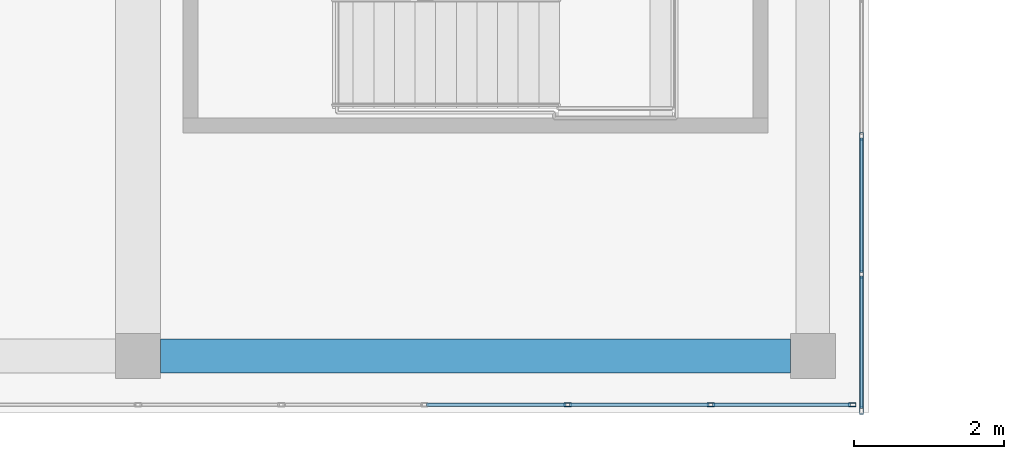
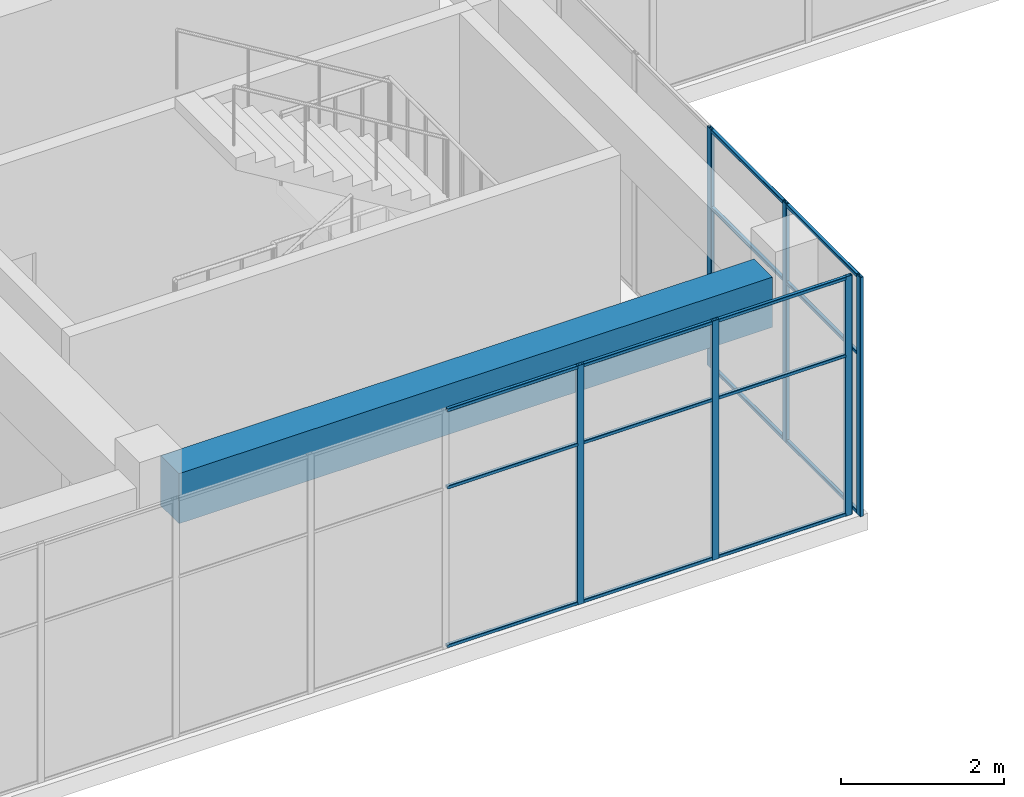
# One storey, part 8 of 35: 21 members, 1 beam, 2 elements without a shape of their own.
"""IFC4 building model written with IfcOpenShell, lengths in metres."""

import ifcopenshell
import ifcopenshell.guid

model = None  # the IFC model being written
_history = None  # IfcOwnerHistory: only IFC2X3 demands one
_inside = {}  # id of a spatial element -> (the spatial element, [elements in it])
_under = {}  # id of a project, library or spatial element -> (it, [spatial elements below it])
_declared = {}  # id of a project -> (the project, [libraries it declares])
_typed = {}  # id of a type object -> (the type object, [elements of that type])
_made_of = {}  # id of a material, layer set ... -> (it, [elements and type objects made of it])


def new_model(schema):
    """Start an empty IFC model of exactly this schema.

    Asked for "IFC4X3", IfcOpenShell would pick the latest addendum, in which some entities
    have other attributes; the version numbers below select the first issue.
    IFC2X3 requires an IfcOwnerHistory on every rooted entity: one is made here for all.
    """
    global model, _history
    if schema == "IFC4X3":
        model = ifcopenshell.file(schema_version=(4, 3, 0, 0))
    else:
        model = ifcopenshell.file(schema=schema)
    _inside.clear()
    _under.clear()
    _declared.clear()
    _typed.clear()
    _made_of.clear()
    _history = None
    if model.schema == "IFC2X3":
        org = make("IfcOrganization", Name="unknown")
        user = make(
            "IfcPersonAndOrganization",
            ThePerson=make("IfcPerson", FamilyName="unknown"),
            TheOrganization=org,
        )
        app = make(
            "IfcApplication",
            ApplicationDeveloper=org,
            Version="unknown",
            ApplicationFullName="unknown",
            ApplicationIdentifier="unknown",
        )
        _history = make(
            "IfcOwnerHistory",
            OwningUser=user,
            OwningApplication=app,
            ChangeAction="ADDED",
            CreationDate=0,
        )
    return model


def make(cls, **values):
    """One entity of the class cls with the attributes given. An attribute that is None is left unset."""
    return model.create_entity(
        cls, **{name: value for name, value in values.items() if value is not None}
    )


def rooted(cls, **values):
    """An entity with a GlobalId (a new one), such as an element, a storey or a relation."""
    return make(cls, GlobalId=ifcopenshell.guid.new(), OwnerHistory=_history, **values)


def si_unit(unit_type, name, prefix=None):
    """IfcSIUnit, for example si_unit("LENGTHUNIT", "METRE", prefix="MILLI")."""
    return make("IfcSIUnit", UnitType=unit_type, Prefix=prefix, Name=name)


def assignment(units):
    """IfcUnitAssignment: the units of a project."""
    return None if units is None else make("IfcUnitAssignment", Units=units)


def point(xyz):
    """IfcCartesianPoint."""
    return None if xyz is None else make("IfcCartesianPoint", Coordinates=xyz)


def direction(xyz):
    """IfcDirection."""
    return None if xyz is None else make("IfcDirection", DirectionRatios=xyz)


def frame(location, z_axis=None, x_axis=None):
    """IfcAxis2Placement3D, a coordinate frame: its origin and axes. An axis left out is left unset."""
    return make(
        "IfcAxis2Placement3D",
        Location=point(location),
        Axis=direction(z_axis),
        RefDirection=direction(x_axis),
    )


def frame_2d(location, x_axis=None):
    """IfcAxis2Placement2D, a coordinate frame in the plane: its origin and x axis."""
    return make(
        "IfcAxis2Placement2D", Location=point(location), RefDirection=direction(x_axis)
    )


def origin():
    """The frame at (0, 0, 0) with its axes left unset."""
    return frame((0.0, 0.0, 0.0))


def origin_2d():
    """The frame at (0, 0) in the plane with its x axis left unset."""
    return frame_2d((0.0, 0.0))


def place(relative_to, where):
    """IfcLocalPlacement: puts the frame where relative to a parent placement (None: the world)."""
    return make(
        "IfcLocalPlacement", PlacementRelTo=relative_to, RelativePlacement=where
    )


def context(
    kind, dimensions, precision=None, world=None, true_north=None, identifier=None
):
    """IfcGeometricRepresentationContext, for example the 3D "Model" context."""
    return make(
        "IfcGeometricRepresentationContext",
        ContextIdentifier=identifier,
        ContextType=kind,
        CoordinateSpaceDimension=dimensions,
        Precision=precision,
        WorldCoordinateSystem=world,
        TrueNorth=true_north,
    )


def subcontext(parent, identifier, kind, view, scale=None):
    """IfcGeometricRepresentationSubContext, for example "Body" below "Model"."""
    return make(
        "IfcGeometricRepresentationSubContext",
        ContextIdentifier=identifier,
        ContextType=kind,
        ParentContext=parent,
        TargetScale=scale,
        TargetView=view,
    )


def project(units=None, contexts=None):
    """IfcProject with its units and contexts."""
    return rooted(
        "IfcProject",
        Name="project",
        RepresentationContexts=contexts,
        UnitsInContext=assignment(units),
    )


def spatial(cls, under=None, at=None, **own):
    """A site, building, storey or space (cls), placed at a placement, below another one or the project."""
    s = rooted(cls, ObjectPlacement=at, **own)
    if under is not None:
        _under.setdefault(under.id(), (under, []))[1].append(s)
    return s


def profile(cls, at=None, kind="AREA", **sizes):
    """A parametric profile (cls). Its sizes go by their IFC names, for example OverallWidth=200.0."""
    return make(cls, ProfileType=kind, Position=at, **sizes)


def rectangle(**sizes):
    """IfcRectangleProfileDef."""
    return profile("IfcRectangleProfileDef", **sizes)


def hollow_rectangle(**sizes):
    """IfcRectangleHollowProfileDef."""
    return profile("IfcRectangleHollowProfileDef", **sizes)


def extrude(swept, where, along, depth):
    """IfcExtrudedAreaSolid: the profile swept, set in the frame where, extruded along a direction by depth."""
    return make(
        "IfcExtrudedAreaSolid",
        SweptArea=swept,
        Position=where,
        ExtrudedDirection=direction(along),
        Depth=depth,
    )


def shape(context_of_items, identifier, shape_type, items):
    """IfcShapeRepresentation: the items that make up one representation, for example the "Body"."""
    return make(
        "IfcShapeRepresentation",
        ContextOfItems=context_of_items,
        RepresentationIdentifier=identifier,
        RepresentationType=shape_type,
        Items=items,
    )


def material(Name=None, Category=None):
    """IfcMaterial."""
    return make("IfcMaterial", Name=Name, Category=Category)


def layer(
    of_material, thickness, ventilated=None, Name=None, Category=None, Priority=None
):
    """IfcMaterialLayer: one layer of a wall or slab, of a material (None: an air gap)."""
    return make(
        "IfcMaterialLayer",
        Material=of_material,
        LayerThickness=thickness,
        IsVentilated=ventilated,
        Name=Name,
        Category=Category,
        Priority=Priority,
    )


def layer_set(layers, Name=None):
    """IfcMaterialLayerSet."""
    return make("IfcMaterialLayerSet", MaterialLayers=layers, LayerSetName=Name)


def material_profile(
    of_material, cross_section, Name=None, Category=None, Priority=None
):
    """IfcMaterialProfile: a cross section and its material."""
    return make(
        "IfcMaterialProfile",
        Name=Name,
        Material=of_material,
        Profile=cross_section,
        Priority=Priority,
        Category=Category,
    )


def profile_set(profiles, Name=None, composite=None):
    """IfcMaterialProfileSet."""
    return make(
        "IfcMaterialProfileSet",
        Name=Name,
        MaterialProfiles=profiles,
        CompositeProfile=composite,
    )


def made_of(thing, what):
    """Note that an element or type object is made of a material, layer set ...; save() writes the relation."""
    if what is not None:
        _made_of.setdefault(what.id(), (what, []))[1].append(thing)
    return thing


def type_object(cls, material=None, **own):
    """A type object (cls), such as IfcWallType, which elements share."""
    return made_of(rooted(cls, **own), material)


def element(
    cls,
    number,
    at=None,
    inside=None,
    cuts=None,
    type_object=None,
    material=None,
    context=None,
    identifier="Body",
    shape_type=None,
    held_by="IfcProductDefinitionShape",
    body=None,
    shapes=None,
    **own,
):
    """One element of the class cls, such as IfcWall. Its Tag is "e" and its number.

    at: its placement. inside: the storey or other place that contains it. cuts: it is an
    opening in that element (IfcRelVoidsElement). A single representation is given by context,
    identifier, shape_type and body (its items); several are given by shapes. held_by: the class
    of the entity that holds the representations. save() writes the other relations.
    """
    e = rooted(cls, Tag="e%d" % number, ObjectPlacement=at, **own)
    if body is not None:
        shapes = [shape(context, identifier, shape_type, body)]
    if shapes is not None:
        e.Representation = make(held_by, Representations=shapes)
    if inside is not None:
        _inside.setdefault(inside.id(), (inside, []))[1].append(e)
    if cuts is not None:
        rooted(
            "IfcRelVoidsElement", RelatingBuildingElement=cuts, RelatedOpeningElement=e
        )
    if type_object is not None:
        _typed.setdefault(type_object.id(), (type_object, []))[1].append(e)
    return made_of(e, material)


def aggregate(whole, parts):
    """IfcRelAggregates: a whole, such as a stair, and the parts it consists of."""
    return rooted("IfcRelAggregates", RelatingObject=whole, RelatedObjects=parts)


def save(model, path):
    """Write the relations noted so far, then the file.

    IfcRelAggregates (storeys below a building ...), IfcRelContainedInSpatialStructure (elements
    in a storey), IfcRelDefinesByType, IfcRelAssociatesMaterial and IfcRelDeclares: one each for
    every whole, place, type object, material and project.
    """
    for whole, parts in _under.values():
        aggregate(whole, parts)
    for where, things in _inside.values():
        rooted(
            "IfcRelContainedInSpatialStructure",
            RelatedElements=things,
            RelatingStructure=where,
        )
    for kind, things in _typed.values():
        rooted("IfcRelDefinesByType", RelatedObjects=things, RelatingType=kind)
    for what, things in _made_of.values():
        rooted("IfcRelAssociatesMaterial", RelatedObjects=things, RelatingMaterial=what)
    for by, libraries in _declared.values():
        rooted("IfcRelDeclares", RelatingContext=by, RelatedDefinitions=libraries)
    model.write(path)


model = new_model("IFC4")

# Units and contexts
model_context = context("Model", 3, precision=1e-05, world=origin(), true_north=direction((0.0, 1.0)))
body_context = subcontext(model_context, "Body", "Model", "MODEL_VIEW")
ifc_project = project(units=[si_unit("LENGTHUNIT", "METRE"), si_unit("AREAUNIT", "SQUARE_METRE"), si_unit("VOLUMEUNIT", "CUBIC_METRE"), si_unit("PLANEANGLEUNIT", "RADIAN"), si_unit("MASSUNIT", "GRAM", prefix="KILO")], contexts=[model_context])

# Site, building, storey
site_placement = place(None, origin())
site = spatial("IfcSite", under=ifc_project, at=site_placement, CompositionType="ELEMENT")
building_placement = place(site_placement, origin())
building = spatial("IfcBuilding", under=site, at=building_placement, Name="Tuart Plaza Theatre", CompositionType="ELEMENT")
storey_placement = place(building_placement, frame((0.0, 0.0, 49.5)))
storey = spatial("IfcBuildingStorey", under=building, at=storey_placement, Name="L12", CompositionType="ELEMENT", Elevation=49.5)

# Beam
ifc_material_1 = material(Name="Concrete N40 (40 MPa)", Category="concrete")
ifc_material_profile_1 = material_profile(ifc_material_1, rectangle(XDim=0.449951171875, YDim=0.75, at=origin_2d()), Name="BEAM 450x750 Concrete N40 (40 MPa)")
ifc_profile_set_1 = profile_set([ifc_material_profile_1], Name="Concrete N40 (40 MPa)")
beam_type = type_object("IfcBeamType", Name="BEAM 450x750 Concrete N40 (40 MPa)", PredefinedType="BEAM", material=ifc_profile_set_1)
beam_placement = place(storey_placement, frame((132.300048828125, 56.0, 3.205078125), z_axis=(1.0, 0.0, 0.0), x_axis=(0.0, 1.0, 0.0)))
element("IfcBeam", 1, at=beam_placement, inside=storey, type_object=beam_type, Name="RB301", PredefinedType="BEAM", context=body_context, shape_type="SweptSolid", body=[
    extrude(rectangle(XDim=0.449951171875, YDim=0.75, at=origin_2d()), origin(), (0.0, 0.0, 1.0), 8.39990234375),
])

# Curtain wall, members
ifc_material_2 = material(Name="Aluminium and glass", Category="aluminium")
ifc_layer = layer(ifc_material_2, 0.10009765625)
ifc_layer_set = layer_set([ifc_layer], Name="CURTAIN WALL 2000 module")
curtain_wall_type = type_object("IfcCurtainWallType", Name="CURTAIN WALL 2000 module", PredefinedType="NOTDEFINED", material=ifc_layer_set)
curtain_wall_1_placement = place(storey_placement, origin())
curtain_wall_1 = element("IfcCurtainWall", 2, at=curtain_wall_1_placement, inside=storey, type_object=curtain_wall_type, Name="CW100", PredefinedType="NOTDEFINED")
ifc_material_3 = material(Name="Aluminium 6063-T5", Category="aluminium")
ifc_material_profile_2 = material_profile(ifc_material_3, hollow_rectangle(XDim=0.050048828125, YDim=0.10009765625, WallThickness=0.00390625, InnerFilletRadius=0.00390625, OuterFilletRadius=0.008056640625, at=origin_2d()), Name="RHS 100x50x4")
ifc_profile_set_2 = profile_set([ifc_material_profile_2], Name="Aluminium 6063-T5")
member_type_1 = type_object("IfcMemberType", Name="MULLION RHS 100x50x4", PredefinedType="MULLION", material=ifc_profile_set_2)
member_1_placement = place(storey_placement, frame((141.64990234375, 55.27490234375, 0.0), z_axis=(0.0, 0.0, 1.0), x_axis=(-1.0, 0.0, 0.0)))
member_1 = element("IfcMember", 3, at=member_1_placement, type_object=member_type_1, Name="CW100 mullion 1", PredefinedType="MULLION", context=body_context, shape_type="SweptSolid", body=[
    extrude(hollow_rectangle(XDim=0.050048828125, YDim=0.10009765625, WallThickness=0.00390625, InnerFilletRadius=0.00390625, OuterFilletRadius=0.008056640625, at=origin_2d()), origin(), (0.0, 0.0, 1.0), 3.580078125),
])
member_2_placement = place(storey_placement, frame((141.64990234375, 57.090087890625, 0.0), z_axis=(0.0, 0.0, 1.0), x_axis=(-1.0, 0.0, 0.0)))
member_2 = element("IfcMember", 4, at=member_2_placement, type_object=member_type_1, Name="CW100 mullion 2", PredefinedType="MULLION", context=body_context, shape_type="SweptSolid", body=[
    extrude(hollow_rectangle(XDim=0.050048828125, YDim=0.10009765625, WallThickness=0.00390625, InnerFilletRadius=0.00390625, OuterFilletRadius=0.008056640625, at=origin_2d()), origin(), (0.0, 0.0, 1.0), 3.580078125),
])
member_3_placement = place(storey_placement, frame((141.64990234375, 58.929931640625, 0.0), z_axis=(0.0, 0.0, 1.0), x_axis=(-1.0, 0.0, 0.0)))
member_3 = element("IfcMember", 5, at=member_3_placement, type_object=member_type_1, Name="CW100 mullion 3", PredefinedType="MULLION", context=body_context, shape_type="SweptSolid", body=[
    extrude(hollow_rectangle(XDim=0.050048828125, YDim=0.10009765625, WallThickness=0.00390625, InnerFilletRadius=0.00390625, OuterFilletRadius=0.008056640625, at=origin_2d()), origin(), (0.0, 0.0, 1.0), 3.580078125),
])

curtain_wall_2_placement = place(storey_placement, origin())
curtain_wall_2 = element("IfcCurtainWall", 6, at=curtain_wall_2_placement, inside=storey, type_object=curtain_wall_type, Name="CW111", PredefinedType="NOTDEFINED")
member_4_placement = place(storey_placement, frame((137.72998046875, 55.35009765625, 0.0), z_axis=(0.0, 0.0, 1.0), x_axis=(0.0, 1.0, 0.0)))
member_4 = element("IfcMember", 7, at=member_4_placement, type_object=member_type_1, Name="CW111 mullion 9", PredefinedType="MULLION", context=body_context, shape_type="SweptSolid", body=[
    extrude(hollow_rectangle(XDim=0.050048828125, YDim=0.10009765625, WallThickness=0.00390625, InnerFilletRadius=0.00390625, OuterFilletRadius=0.008056640625, at=origin_2d()), origin(), (0.0, 0.0, 1.0), 3.580078125),
])
member_5_placement = place(storey_placement, frame((139.639892578125, 55.35009765625, 0.0), z_axis=(0.0, 0.0, 1.0), x_axis=(0.0, 1.0, 0.0)))
member_5 = element("IfcMember", 8, at=member_5_placement, type_object=member_type_1, Name="CW111 mullion 10", PredefinedType="MULLION", context=body_context, shape_type="SweptSolid", body=[
    extrude(hollow_rectangle(XDim=0.050048828125, YDim=0.10009765625, WallThickness=0.00390625, InnerFilletRadius=0.00390625, OuterFilletRadius=0.008056640625, at=origin_2d()), origin(), (0.0, 0.0, 1.0), 3.580078125),
])
member_6_placement = place(storey_placement, frame((141.52490234375, 55.35009765625, 0.0), z_axis=(0.0, 0.0, 1.0), x_axis=(0.0, 1.0, 0.0)))
member_6 = element("IfcMember", 9, at=member_6_placement, type_object=member_type_1, Name="CW111 mullion 11", PredefinedType="MULLION", context=body_context, shape_type="SweptSolid", body=[
    extrude(hollow_rectangle(XDim=0.050048828125, YDim=0.10009765625, WallThickness=0.00390625, InnerFilletRadius=0.00390625, OuterFilletRadius=0.008056640625, at=origin_2d()), origin(), (0.0, 0.0, 1.0), 3.580078125),
])

# Member
ifc_material_4 = material(Name="Aluminium 6063-T5", Category="aluminium")
ifc_material_profile_3 = material_profile(ifc_material_4, hollow_rectangle(XDim=0.050048828125, YDim=0.050048828125, WallThickness=0.00390625, InnerFilletRadius=0.00390625, OuterFilletRadius=0.008056640625, at=origin_2d()), Name="RHS 50x50x4")
ifc_profile_set_3 = profile_set([ifc_material_profile_3], Name="Aluminium 6063-T5")
member_type_2 = type_object("IfcMemberType", Name="TRANSOM RHS 50x50x4", PredefinedType="USERDEFINED", material=ifc_profile_set_3)
member_7_placement = place(storey_placement, frame((141.64990234375, 55.300048828125, 0.02490234375), z_axis=(0.0, 1.0, 0.0), x_axis=(-1.0, 0.0, 0.0)))
member_7 = element("IfcMember", 10, at=member_7_placement, type_object=member_type_2, Name="CW100 transom 1.1", ObjectType="TRANSOM", PredefinedType="USERDEFINED", context=body_context, shape_type="SweptSolid", body=[
    extrude(hollow_rectangle(XDim=0.050048828125, YDim=0.050048828125, WallThickness=0.00390625, InnerFilletRadius=0.00390625, OuterFilletRadius=0.008056640625, at=origin_2d()), origin(), (0.0, 0.0, 1.0), 1.764892578125),
])

member_8_placement = place(storey_placement, frame((141.64990234375, 55.300048828125, 2.39990234375), z_axis=(0.0, 1.0, 0.0), x_axis=(-1.0, 0.0, 0.0)))
member_8 = element("IfcMember", 11, at=member_8_placement, type_object=member_type_2, Name="CW100 transom 1.2", ObjectType="TRANSOM", PredefinedType="USERDEFINED", context=body_context, shape_type="SweptSolid", body=[
    extrude(hollow_rectangle(XDim=0.050048828125, YDim=0.050048828125, WallThickness=0.00390625, InnerFilletRadius=0.00390625, OuterFilletRadius=0.008056640625, at=origin_2d()), origin(), (0.0, 0.0, 1.0), 1.764892578125),
])

member_9_placement = place(storey_placement, frame((141.64990234375, 55.300048828125, 3.554931640625), z_axis=(0.0, 1.0, 0.0), x_axis=(-1.0, 0.0, 0.0)))
member_9 = element("IfcMember", 12, at=member_9_placement, type_object=member_type_2, Name="CW100 transom 1.3", ObjectType="TRANSOM", PredefinedType="USERDEFINED", context=body_context, shape_type="SweptSolid", body=[
    extrude(hollow_rectangle(XDim=0.050048828125, YDim=0.050048828125, WallThickness=0.00390625, InnerFilletRadius=0.00390625, OuterFilletRadius=0.008056640625, at=origin_2d()), origin(), (0.0, 0.0, 1.0), 1.764892578125),
])

member_10_placement = place(storey_placement, frame((141.64990234375, 57.114990234375, 0.02490234375), z_axis=(0.0, 1.0, 0.0), x_axis=(-1.0, 0.0, 0.0)))
member_10 = element("IfcMember", 13, at=member_10_placement, type_object=member_type_2, Name="CW100 transom 2.1", ObjectType="TRANSOM", PredefinedType="USERDEFINED", context=body_context, shape_type="SweptSolid", body=[
    extrude(hollow_rectangle(XDim=0.050048828125, YDim=0.050048828125, WallThickness=0.00390625, InnerFilletRadius=0.00390625, OuterFilletRadius=0.008056640625, at=origin_2d()), origin(), (0.0, 0.0, 1.0), 1.7900390625),
])

member_11_placement = place(storey_placement, frame((141.64990234375, 57.114990234375, 2.39990234375), z_axis=(0.0, 1.0, 0.0), x_axis=(-1.0, 0.0, 0.0)))
member_11 = element("IfcMember", 14, at=member_11_placement, type_object=member_type_2, Name="CW100 transom 2.2", ObjectType="TRANSOM", PredefinedType="USERDEFINED", context=body_context, shape_type="SweptSolid", body=[
    extrude(hollow_rectangle(XDim=0.050048828125, YDim=0.050048828125, WallThickness=0.00390625, InnerFilletRadius=0.00390625, OuterFilletRadius=0.008056640625, at=origin_2d()), origin(), (0.0, 0.0, 1.0), 1.7900390625),
])

member_12_placement = place(storey_placement, frame((141.64990234375, 57.114990234375, 3.554931640625), z_axis=(0.0, 1.0, 0.0), x_axis=(-1.0, 0.0, 0.0)))
member_12 = element("IfcMember", 15, at=member_12_placement, type_object=member_type_2, Name="CW100 transom 2.3", ObjectType="TRANSOM", PredefinedType="USERDEFINED", context=body_context, shape_type="SweptSolid", body=[
    extrude(hollow_rectangle(XDim=0.050048828125, YDim=0.050048828125, WallThickness=0.00390625, InnerFilletRadius=0.00390625, OuterFilletRadius=0.008056640625, at=origin_2d()), origin(), (0.0, 0.0, 1.0), 1.7900390625),
])

aggregate(curtain_wall_1, [member_1, member_2, member_3, member_7, member_8, member_9, member_10, member_11, member_12])

member_13_placement = place(storey_placement, frame((135.844970703125, 55.35009765625, 0.02490234375), z_axis=(1.0, 0.0, 0.0), x_axis=(0.0, 1.0, 0.0)))
member_13 = element("IfcMember", 16, at=member_13_placement, type_object=member_type_2, Name="CW111 transom 8.1", ObjectType="TRANSOM", PredefinedType="USERDEFINED", context=body_context, shape_type="SweptSolid", body=[
    extrude(hollow_rectangle(XDim=0.050048828125, YDim=0.050048828125, WallThickness=0.00390625, InnerFilletRadius=0.00390625, OuterFilletRadius=0.008056640625, at=origin_2d()), origin(), (0.0, 0.0, 1.0), 1.860107421875),
])

member_14_placement = place(storey_placement, frame((135.844970703125, 55.35009765625, 2.39990234375), z_axis=(1.0, 0.0, 0.0), x_axis=(0.0, 1.0, 0.0)))
member_14 = element("IfcMember", 17, at=member_14_placement, type_object=member_type_2, Name="CW111 transom 8.2", ObjectType="TRANSOM", PredefinedType="USERDEFINED", context=body_context, shape_type="SweptSolid", body=[
    extrude(hollow_rectangle(XDim=0.050048828125, YDim=0.050048828125, WallThickness=0.00390625, InnerFilletRadius=0.00390625, OuterFilletRadius=0.008056640625, at=origin_2d()), origin(), (0.0, 0.0, 1.0), 1.860107421875),
])

member_15_placement = place(storey_placement, frame((135.844970703125, 55.35009765625, 3.554931640625), z_axis=(1.0, 0.0, 0.0), x_axis=(0.0, 1.0, 0.0)))
member_15 = element("IfcMember", 18, at=member_15_placement, type_object=member_type_2, Name="CW111 transom 8.3", ObjectType="TRANSOM", PredefinedType="USERDEFINED", context=body_context, shape_type="SweptSolid", body=[
    extrude(hollow_rectangle(XDim=0.050048828125, YDim=0.050048828125, WallThickness=0.00390625, InnerFilletRadius=0.00390625, OuterFilletRadius=0.008056640625, at=origin_2d()), origin(), (0.0, 0.0, 1.0), 1.860107421875),
])

member_16_placement = place(storey_placement, frame((137.7548828125, 55.35009765625, 0.02490234375), z_axis=(1.0, 0.0, 0.0), x_axis=(0.0, 1.0, 0.0)))
member_16 = element("IfcMember", 19, at=member_16_placement, type_object=member_type_2, Name="CW111 transom 9.1", ObjectType="TRANSOM", PredefinedType="USERDEFINED", context=body_context, shape_type="SweptSolid", body=[
    extrude(hollow_rectangle(XDim=0.050048828125, YDim=0.050048828125, WallThickness=0.00390625, InnerFilletRadius=0.00390625, OuterFilletRadius=0.008056640625, at=origin_2d()), origin(), (0.0, 0.0, 1.0), 1.860107421875),
])

member_17_placement = place(storey_placement, frame((137.7548828125, 55.35009765625, 2.39990234375), z_axis=(1.0, 0.0, 0.0), x_axis=(0.0, 1.0, 0.0)))
member_17 = element("IfcMember", 20, at=member_17_placement, type_object=member_type_2, Name="CW111 transom 9.2", ObjectType="TRANSOM", PredefinedType="USERDEFINED", context=body_context, shape_type="SweptSolid", body=[
    extrude(hollow_rectangle(XDim=0.050048828125, YDim=0.050048828125, WallThickness=0.00390625, InnerFilletRadius=0.00390625, OuterFilletRadius=0.008056640625, at=origin_2d()), origin(), (0.0, 0.0, 1.0), 1.860107421875),
])

member_18_placement = place(storey_placement, frame((137.7548828125, 55.35009765625, 3.554931640625), z_axis=(1.0, 0.0, 0.0), x_axis=(0.0, 1.0, 0.0)))
member_18 = element("IfcMember", 21, at=member_18_placement, type_object=member_type_2, Name="CW111 transom 9.3", ObjectType="TRANSOM", PredefinedType="USERDEFINED", context=body_context, shape_type="SweptSolid", body=[
    extrude(hollow_rectangle(XDim=0.050048828125, YDim=0.050048828125, WallThickness=0.00390625, InnerFilletRadius=0.00390625, OuterFilletRadius=0.008056640625, at=origin_2d()), origin(), (0.0, 0.0, 1.0), 1.860107421875),
])

member_19_placement = place(storey_placement, frame((139.6650390625, 55.35009765625, 0.02490234375), z_axis=(1.0, 0.0, 0.0), x_axis=(0.0, 1.0, 0.0)))
member_19 = element("IfcMember", 22, at=member_19_placement, type_object=member_type_2, Name="CW111 transom 10.1", ObjectType="TRANSOM", PredefinedType="USERDEFINED", context=body_context, shape_type="SweptSolid", body=[
    extrude(hollow_rectangle(XDim=0.050048828125, YDim=0.050048828125, WallThickness=0.00390625, InnerFilletRadius=0.00390625, OuterFilletRadius=0.008056640625, at=origin_2d()), origin(), (0.0, 0.0, 1.0), 1.8349609375),
])

member_20_placement = place(storey_placement, frame((139.6650390625, 55.35009765625, 2.39990234375), z_axis=(1.0, 0.0, 0.0), x_axis=(0.0, 1.0, 0.0)))
member_20 = element("IfcMember", 23, at=member_20_placement, type_object=member_type_2, Name="CW111 transom 10.2", ObjectType="TRANSOM", PredefinedType="USERDEFINED", context=body_context, shape_type="SweptSolid", body=[
    extrude(hollow_rectangle(XDim=0.050048828125, YDim=0.050048828125, WallThickness=0.00390625, InnerFilletRadius=0.00390625, OuterFilletRadius=0.008056640625, at=origin_2d()), origin(), (0.0, 0.0, 1.0), 1.8349609375),
])

member_21_placement = place(storey_placement, frame((139.6650390625, 55.35009765625, 3.554931640625), z_axis=(1.0, 0.0, 0.0), x_axis=(0.0, 1.0, 0.0)))
member_21 = element("IfcMember", 24, at=member_21_placement, type_object=member_type_2, Name="CW111 transom 10.3", ObjectType="TRANSOM", PredefinedType="USERDEFINED", context=body_context, shape_type="SweptSolid", body=[
    extrude(hollow_rectangle(XDim=0.050048828125, YDim=0.050048828125, WallThickness=0.00390625, InnerFilletRadius=0.00390625, OuterFilletRadius=0.008056640625, at=origin_2d()), origin(), (0.0, 0.0, 1.0), 1.8349609375),
])

aggregate(curtain_wall_2, [member_4, member_5, member_6, member_13, member_14, member_15, member_16, member_17, member_18, member_19, member_20, member_21])

save(model, "model.ifc")
